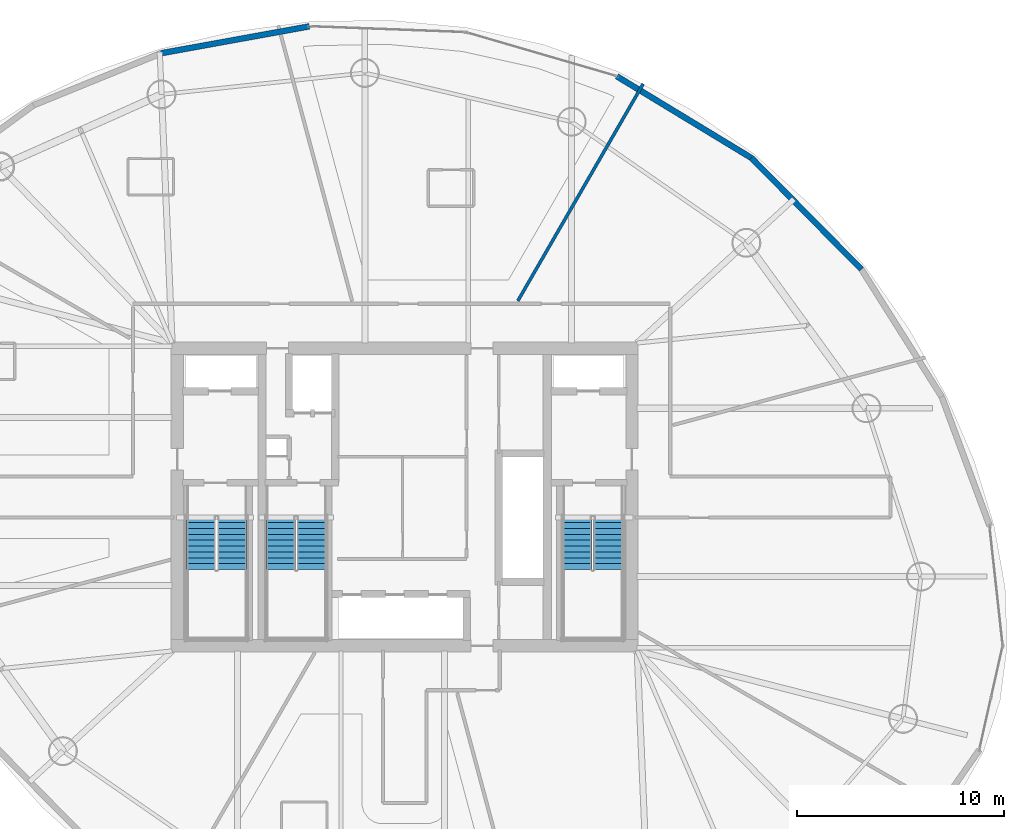
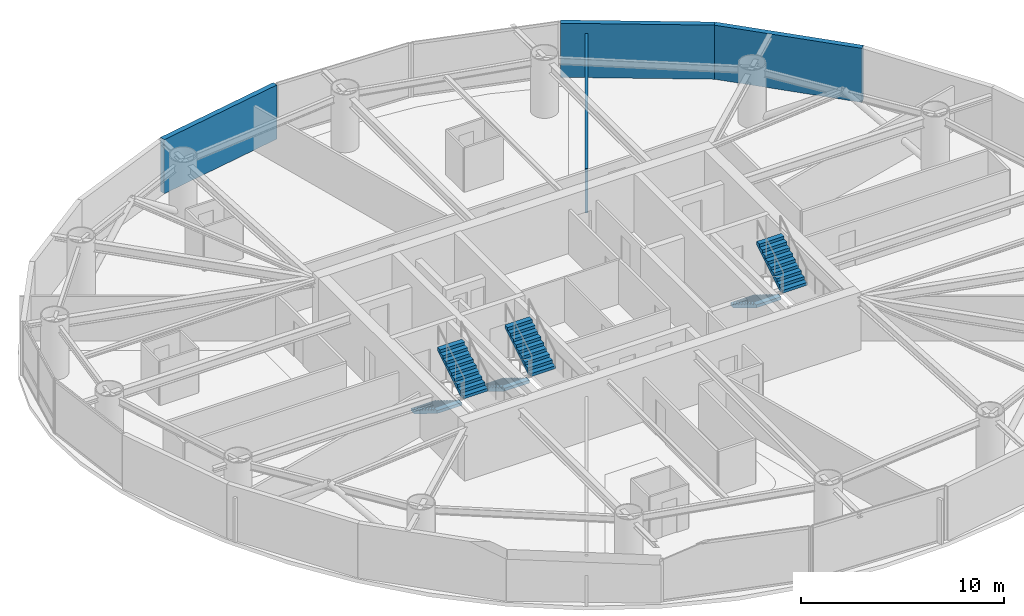
# One storey, part 19 of 22: 6 stair flights, 4 walls, 3 elements without a shape of their own.
"""IFC4 building model written with IfcOpenShell, lengths in metres."""

from ifc_helpers import new_model, si_unit, direction, frame, frame_2d, origin, place, context, subcontext, project, spatial, polyline, rectangle, outline, extrude, material, layer, layer_set, type_object, element, aggregate, save


model = new_model("IFC4")

# Units and contexts
model_context = context("Model", 3, precision=1e-05, world=origin(), true_north=direction((0.0, 1.0)))
body_context = subcontext(model_context, "Body", "Model", "MODEL_VIEW")
ifc_project = project(units=[si_unit("LENGTHUNIT", "METRE"), si_unit("AREAUNIT", "SQUARE_METRE"), si_unit("VOLUMEUNIT", "CUBIC_METRE"), si_unit("PLANEANGLEUNIT", "RADIAN"), si_unit("MASSUNIT", "GRAM", prefix="KILO")], contexts=[model_context])

# Site, building, storey
site_placement = place(None, origin())
site = spatial("IfcSite", under=ifc_project, at=site_placement, CompositionType="ELEMENT")
building_placement = place(site_placement, origin())
building = spatial("IfcBuilding", under=site, at=building_placement, Name="Bramvorn Convention Spire", CompositionType="ELEMENT")
storey_placement = place(building_placement, frame((0.0, 0.0, 127.300048828125)))
storey = spatial("IfcBuildingStorey", under=building, at=storey_placement, Name="L31", CompositionType="ELEMENT", Elevation=127.300048828125)

# Walls
ifc_material_1 = material(Name="Precast Concrete C40/50 with Bronze Terracotta Rainscreen", Category="masonry")
ifc_layer_1 = layer(ifc_material_1, 0.300048828125)
ifc_layer_set_1 = layer_set([ifc_layer_1], Name="Precast Concrete C40/50 with Bronze Terracotta Rainscreen - WL-EXT-BRONZE-300")
wall_type_1 = type_object("IfcWallType", Name="WL-EXT-BRONZE-300", PredefinedType="SOLIDWALL", material=ifc_layer_set_1)
wall_1_placement = place(storey_placement, frame((54.77978515625, 42.403564453125, 0.0), z_axis=(0.0, 0.0, 1.0), x_axis=(0.702787728891, -0.711399612117, 0.0)))
element("IfcWall", 1, at=wall_1_placement, inside=storey, type_object=wall_type_1, Name="L31 expressed bronze Gothic lancet pier wall 05", PredefinedType="SOLIDWALL", context=body_context, shape_type="SweptSolid", body=[
    extrude(rectangle(XDim=7.5693359375, YDim=0.280029296875, at=frame_2d((3.78466796875, 0.0))), origin(), (0.0, 0.0, 1.0), 3.260009765625),
])
wall_2_placement = place(storey_placement, frame((48.267578125, 46.35498046875, 0.0), z_axis=(0.0, 0.0, 1.0), x_axis=(0.854928651423, -0.518745603332, 0.0)))
element("IfcWall", 2, at=wall_2_placement, inside=storey, type_object=wall_type_1, Name="L31 expressed bronze Gothic lancet pier wall 06", PredefinedType="SOLIDWALL", context=body_context, shape_type="SweptSolid", body=[
    extrude(rectangle(XDim=7.6171875, YDim=0.280029296875, at=frame_2d((3.80859375, 0.0))), origin(), (0.0, 0.0, 1.0), 3.260009765625),
])
wall_3_placement = place(storey_placement, frame((26.2158203125, 47.47021484375, 0.0), z_axis=(0.0, 0.0, 1.0), x_axis=(0.983958718809, 0.178396299514, 0.0)))
element("IfcWall", 3, at=wall_3_placement, inside=storey, type_object=wall_type_1, Name="L31 expressed bronze Gothic lancet pier wall 09", PredefinedType="SOLIDWALL", context=body_context, shape_type="SweptSolid", body=[
    extrude(rectangle(XDim=7.29150390625, YDim=0.280029296875, at=frame_2d((3.645751953125, 0.0))), origin(), (0.0, 0.0, 1.0), 3.260009765625),
])
ifc_material_2 = material(Name="Acoustic Metal-Stud Tenant/Corridor Partition", Category="gypsum")
ifc_layer_2 = layer(ifc_material_2, 0.14990234375)
ifc_layer_set_2 = layer_set([ifc_layer_2], Name="Acoustic Metal-Stud Tenant/Corridor Partition - WL-PART-150")
wall_type_2 = type_object("IfcWallType", Name="WL-PART-150", PredefinedType="PARTITIONING", material=ifc_layer_set_2)
wall_4_placement = place(storey_placement, frame((43.47900390625, 35.489990234375, 0.0), z_axis=(0.0, 0.0, 1.0), x_axis=(0.50000357382, 0.866023340428, 0.0)))
element("IfcWall", 4, at=wall_4_placement, inside=storey, type_object=wall_type_2, Name="L31 Guestroom demising wall 2", PredefinedType="PARTITIONING", context=body_context, shape_type="SweptSolid", body=[
    extrude(rectangle(XDim=12.12841796875, YDim=0.14990234375, at=frame_2d((6.064208984375, 0.0))), origin(), (0.0, 0.0, 1.0), 2.675048828125),
])

# Stair, stair flights
ifc_material_3 = material(Name="Concrete C40/50 Precast Stair", Category="concrete")
stair_type = type_object("IfcStairType", Name="ST-TOWER-1550", PredefinedType="HALF_TURN_STAIR", material=ifc_material_3)
stair_1_placement = place(storey_placement, origin())
stair_1 = element("IfcStair", 5, at=stair_1_placement, inside=storey, type_object=stair_type, Name="L31 Protected Exit Stair ST1", PredefinedType="HALF_TURN_STAIR")
ifc_material_4 = material(Name="Concrete C40/50 Precast Stair Flight", Category="concrete")
stair_flight_type = type_object("IfcStairFlightType", Name="STF-TOWER-1550", PredefinedType="STRAIGHT", material=ifc_material_4)
stair_flight_1_placement = place(storey_placement, frame((28.155029296875, 25.050048828125, 0.0), z_axis=(0.0, 0.0, 1.0), x_axis=(0.0, -1.0, 0.0)))
stair_flight_1 = element("IfcStairFlight", 6, at=stair_flight_1_placement, type_object=stair_flight_type, Name="ST1 flight 1", NumberOfRisers=10, NumberOfTreads=9, PredefinedType="STRAIGHT", RiserHeight=0.175, TreadLength=0.285, context=body_context, shape_type="SweptSolid", body=[
    extrude(outline(polyline([(0.0, 0.0), (0.0, 0.175048828125), (0.284912109375, 0.175048828125), (0.284912109375, 0.35009765625), (0.570068359375, 0.35009765625), (0.570068359375, 0.52490234375), (0.85498046875, 0.52490234375), (0.85498046875, 0.699951171875), (1.139892578125, 0.699951171875), (1.139892578125, 0.875), (1.425048828125, 0.875), (1.425048828125, 1.050048828125), (1.7099609375, 1.050048828125), (1.7099609375, 1.22509765625), (1.9951171875, 1.22509765625), (1.9951171875, 1.39990234375), (2.280029296875, 1.39990234375), (2.280029296875, 1.574951171875), (2.56494140625, 1.574951171875), (2.56494140625, 1.75), (2.56494140625, 1.399169921875), (0.286376953125, 0.0), (0.0, 0.0)])), frame((0.0, 0.705078125, 0.0), z_axis=(0.0, -1.0, 0.0), x_axis=(1.0, 0.0, 0.0)), (0.0, 0.0, 1.0), 1.409912109375),
])
stair_flight_2_placement = place(storey_placement, frame((29.64501953125, 22.485107421875, 1.75), z_axis=(0.0, 0.0, 1.0), x_axis=(0.0, 1.0, 0.0)))
stair_flight_2 = element("IfcStairFlight", 7, at=stair_flight_2_placement, type_object=stair_flight_type, Name="ST1 flight 2", NumberOfRisers=10, NumberOfTreads=9, PredefinedType="STRAIGHT", RiserHeight=0.175, TreadLength=0.285, context=body_context, shape_type="SweptSolid", body=[
    extrude(outline(polyline([(0.0, 0.0), (0.0, 0.175048828125), (0.284912109375, 0.175048828125), (0.284912109375, 0.35009765625), (0.570068359375, 0.35009765625), (0.570068359375, 0.52490234375), (0.85498046875, 0.52490234375), (0.85498046875, 0.699951171875), (1.139892578125, 0.699951171875), (1.139892578125, 0.875), (1.425048828125, 0.875), (1.425048828125, 1.050048828125), (1.7099609375, 1.050048828125), (1.7099609375, 1.22509765625), (1.9951171875, 1.22509765625), (1.9951171875, 1.39990234375), (2.280029296875, 1.39990234375), (2.280029296875, 1.574951171875), (2.56494140625, 1.574951171875), (2.56494140625, 1.75), (2.56494140625, 1.399169921875), (0.286376953125, 0.0), (0.0, 0.0)])), frame((0.0, 0.705078125, 0.0), z_axis=(0.0, -1.0, 0.0), x_axis=(1.0, 0.0, 0.0)), (0.0, 0.0, 1.0), 1.409912109375),
])
aggregate(stair_1, [stair_flight_1, stair_flight_2])

stair_2_placement = place(storey_placement, origin())
stair_2 = element("IfcStair", 8, at=stair_2_placement, inside=storey, type_object=stair_type, Name="L31 Protected Exit Stair ST2", PredefinedType="HALF_TURN_STAIR")
stair_flight_3_placement = place(storey_placement, frame((46.35498046875, 25.050048828125, 0.0), z_axis=(0.0, 0.0, 1.0), x_axis=(0.0, -1.0, 0.0)))
stair_flight_3 = element("IfcStairFlight", 9, at=stair_flight_3_placement, type_object=stair_flight_type, Name="ST2 flight 1", NumberOfRisers=10, NumberOfTreads=9, PredefinedType="STRAIGHT", RiserHeight=0.175, TreadLength=0.285, context=body_context, shape_type="SweptSolid", body=[
    extrude(outline(polyline([(0.0, 0.0), (0.0, 0.175048828125), (0.284912109375, 0.175048828125), (0.284912109375, 0.35009765625), (0.570068359375, 0.35009765625), (0.570068359375, 0.52490234375), (0.85498046875, 0.52490234375), (0.85498046875, 0.699951171875), (1.139892578125, 0.699951171875), (1.139892578125, 0.875), (1.425048828125, 0.875), (1.425048828125, 1.050048828125), (1.7099609375, 1.050048828125), (1.7099609375, 1.22509765625), (1.9951171875, 1.22509765625), (1.9951171875, 1.39990234375), (2.280029296875, 1.39990234375), (2.280029296875, 1.574951171875), (2.56494140625, 1.574951171875), (2.56494140625, 1.75), (2.56494140625, 1.399169921875), (0.286376953125, 0.0), (0.0, 0.0)])), frame((0.0, 0.705078125, 0.0), z_axis=(0.0, -1.0, 0.0), x_axis=(1.0, 0.0, 0.0)), (0.0, 0.0, 1.0), 1.409912109375),
])
stair_flight_4_placement = place(storey_placement, frame((47.844970703125, 22.485107421875, 1.75), z_axis=(0.0, 0.0, 1.0), x_axis=(0.0, 1.0, 0.0)))
stair_flight_4 = element("IfcStairFlight", 10, at=stair_flight_4_placement, type_object=stair_flight_type, Name="ST2 flight 2", NumberOfRisers=10, NumberOfTreads=9, PredefinedType="STRAIGHT", RiserHeight=0.175, TreadLength=0.285, context=body_context, shape_type="SweptSolid", body=[
    extrude(outline(polyline([(0.0, 0.0), (0.0, 0.175048828125), (0.284912109375, 0.175048828125), (0.284912109375, 0.35009765625), (0.570068359375, 0.35009765625), (0.570068359375, 0.52490234375), (0.85498046875, 0.52490234375), (0.85498046875, 0.699951171875), (1.139892578125, 0.699951171875), (1.139892578125, 0.875), (1.425048828125, 0.875), (1.425048828125, 1.050048828125), (1.7099609375, 1.050048828125), (1.7099609375, 1.22509765625), (1.9951171875, 1.22509765625), (1.9951171875, 1.39990234375), (2.280029296875, 1.39990234375), (2.280029296875, 1.574951171875), (2.56494140625, 1.574951171875), (2.56494140625, 1.75), (2.56494140625, 1.399169921875), (0.286376953125, 0.0), (0.0, 0.0)])), frame((0.0, 0.705078125, 0.0), z_axis=(0.0, -1.0, 0.0), x_axis=(1.0, 0.0, 0.0)), (0.0, 0.0, 1.0), 1.409912109375),
])
aggregate(stair_2, [stair_flight_3, stair_flight_4])

stair_3_placement = place(storey_placement, origin())
stair_3 = element("IfcStair", 11, at=stair_3_placement, inside=storey, type_object=stair_type, Name="L31 Protected Exit Stair ST3", PredefinedType="HALF_TURN_STAIR")
stair_flight_5_placement = place(storey_placement, frame((32.0048828125, 25.050048828125, 0.0), z_axis=(0.0, 0.0, 1.0), x_axis=(0.0, -1.0, 0.0)))
stair_flight_5 = element("IfcStairFlight", 12, at=stair_flight_5_placement, type_object=stair_flight_type, Name="ST3 flight 1", NumberOfRisers=10, NumberOfTreads=9, PredefinedType="STRAIGHT", RiserHeight=0.175, TreadLength=0.285, context=body_context, shape_type="SweptSolid", body=[
    extrude(outline(polyline([(0.0, 0.0), (0.0, 0.175048828125), (0.284912109375, 0.175048828125), (0.284912109375, 0.35009765625), (0.570068359375, 0.35009765625), (0.570068359375, 0.52490234375), (0.85498046875, 0.52490234375), (0.85498046875, 0.699951171875), (1.139892578125, 0.699951171875), (1.139892578125, 0.875), (1.425048828125, 0.875), (1.425048828125, 1.050048828125), (1.7099609375, 1.050048828125), (1.7099609375, 1.22509765625), (1.9951171875, 1.22509765625), (1.9951171875, 1.39990234375), (2.280029296875, 1.39990234375), (2.280029296875, 1.574951171875), (2.56494140625, 1.574951171875), (2.56494140625, 1.75), (2.56494140625, 1.399169921875), (0.286376953125, 0.0), (0.0, 0.0)])), frame((0.0, 0.705078125, 0.0), z_axis=(0.0, -1.0, 0.0), x_axis=(1.0, 0.0, 0.0)), (0.0, 0.0, 1.0), 1.409912109375),
])
stair_flight_6_placement = place(storey_placement, frame((33.4951171875, 22.485107421875, 1.75), z_axis=(0.0, 0.0, 1.0), x_axis=(0.0, 1.0, 0.0)))
stair_flight_6 = element("IfcStairFlight", 13, at=stair_flight_6_placement, type_object=stair_flight_type, Name="ST3 flight 2", NumberOfRisers=10, NumberOfTreads=9, PredefinedType="STRAIGHT", RiserHeight=0.175, TreadLength=0.285, context=body_context, shape_type="SweptSolid", body=[
    extrude(outline(polyline([(0.0, 0.0), (0.0, 0.175048828125), (0.284912109375, 0.175048828125), (0.284912109375, 0.35009765625), (0.570068359375, 0.35009765625), (0.570068359375, 0.52490234375), (0.85498046875, 0.52490234375), (0.85498046875, 0.699951171875), (1.139892578125, 0.699951171875), (1.139892578125, 0.875), (1.425048828125, 0.875), (1.425048828125, 1.050048828125), (1.7099609375, 1.050048828125), (1.7099609375, 1.22509765625), (1.9951171875, 1.22509765625), (1.9951171875, 1.39990234375), (2.280029296875, 1.39990234375), (2.280029296875, 1.574951171875), (2.56494140625, 1.574951171875), (2.56494140625, 1.75), (2.56494140625, 1.399169921875), (0.286376953125, 0.0), (0.0, 0.0)])), frame((0.0, 0.705078125, 0.0), z_axis=(0.0, -1.0, 0.0), x_axis=(1.0, 0.0, 0.0)), (0.0, 0.0, 1.0), 1.409912109375),
])
aggregate(stair_3, [stair_flight_5, stair_flight_6])

save(model, "model.ifc")
